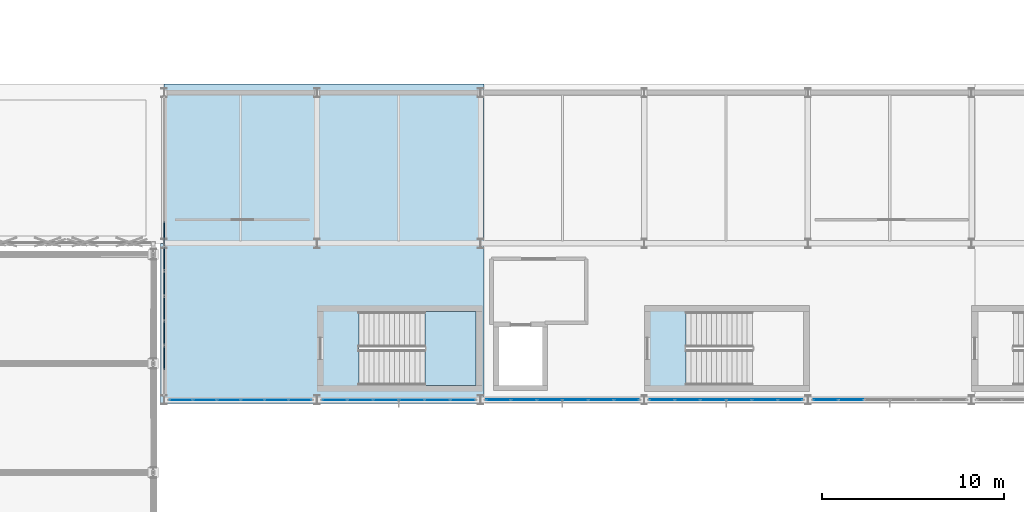
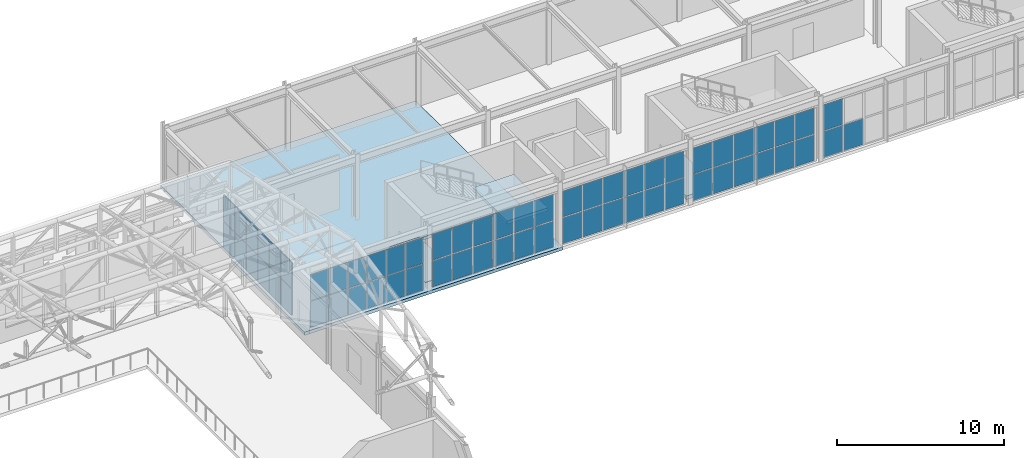
# One storey, part 88 of 112: 63 plates, 4 slabs, 7 elements without a shape of their own.
"""IFC4 building model written with IfcOpenShell, lengths in metres."""

from ifc_helpers import new_model, si_unit, direction, frame, origin, origin_2d, place, context, subcontext, project, spatial, polyline, rectangle, outline, extrude, material, layer, layer_set, type_object, element, aggregate, save


model = new_model("IFC4")

# Units and contexts
model_context = context("Model", 3, precision=1e-05, world=origin(), true_north=direction((0.0, 1.0)))
body_context = subcontext(model_context, "Body", "Model", "MODEL_VIEW")
ifc_project = project(units=[si_unit("LENGTHUNIT", "METRE"), si_unit("AREAUNIT", "SQUARE_METRE"), si_unit("VOLUMEUNIT", "CUBIC_METRE"), si_unit("PLANEANGLEUNIT", "RADIAN"), si_unit("MASSUNIT", "GRAM", prefix="KILO")], contexts=[model_context])

# Site, building, storey
site_placement = place(None, origin())
site = spatial("IfcSite", under=ifc_project, at=site_placement, CompositionType="ELEMENT")
building_placement = place(site_placement, origin())
building = spatial("IfcBuilding", under=site, at=building_placement, Name="Kaldris Quays Convention Centre", CompositionType="ELEMENT")
storey_placement = place(building_placement, frame((0.0, 0.0, 16.800048828125)))
storey = spatial("IfcBuildingStorey", under=building, at=storey_placement, Name="L03", CompositionType="ELEMENT", Elevation=16.800048828125)

# Curtain wall, plates
ifc_material_1 = material(Name="Anodized aluminium AW-6060 and triple glazing", Category="aluminium")
curtain_wall_type = type_object("IfcCurtainWallType", Name="UNITISED CURTAIN WALL CW04", PredefinedType="NOTDEFINED", material=ifc_material_1)
curtain_wall_1_placement = place(storey_placement, origin())
curtain_wall_1 = element("IfcCurtainWall", 1, at=curtain_wall_1_placement, inside=storey, type_object=curtain_wall_type, Name="L03 Unitised Curtain Wall CW04 121", PredefinedType="NOTDEFINED")
ifc_material_2 = material(Name="Triple low-E insulated glazing", Category="glass")
plate_type_1 = type_object("IfcPlateType", Name="CURTAIN GLAZING PANEL CWP1", PredefinedType="CURTAIN_PANEL", material=ifc_material_2)
plate_1_placement = place(storey_placement, frame((84.5234375, 38.0, 0.059814453125), z_axis=(0.0, 0.0, 1.0), x_axis=(1.0, 0.0, 0.0)))
plate_1 = element("IfcPlate", 2, at=plate_1_placement, type_object=plate_type_1, Name="CW04 panel 1.1", PredefinedType="CURTAIN_PANEL", context=body_context, shape_type="SweptSolid", body=[
    extrude(rectangle(XDim=1.2265625, YDim=0.029052734375, at=origin_2d()), origin(), (0.0, 0.0, 1.0), 1.89208984375),
])
plate_2_placement = place(storey_placement, frame((84.5234375, 38.0, 2.011962890625), z_axis=(0.0, 0.0, 1.0), x_axis=(1.0, 0.0, 0.0)))
plate_2 = element("IfcPlate", 3, at=plate_2_placement, type_object=plate_type_1, Name="CW04 panel 1.2", PredefinedType="CURTAIN_PANEL", context=body_context, shape_type="SweptSolid", body=[
    extrude(rectangle(XDim=1.2265625, YDim=0.029052734375, at=origin_2d()), origin(), (0.0, 0.0, 1.0), 1.89306640625),
])
plate_3_placement = place(storey_placement, frame((85.824951171875, 38.0, 0.059814453125), z_axis=(0.0, 0.0, 1.0), x_axis=(1.0, 0.0, 0.0)))
plate_3 = element("IfcPlate", 4, at=plate_3_placement, type_object=plate_type_1, Name="CW04 panel 2.1", PredefinedType="CURTAIN_PANEL", context=body_context, shape_type="SweptSolid", body=[
    extrude(rectangle(XDim=1.256591796875, YDim=0.029052734375, at=origin_2d()), origin(), (0.0, 0.0, 1.0), 1.89208984375),
])
plate_4_placement = place(storey_placement, frame((85.824951171875, 38.0, 2.011962890625), z_axis=(0.0, 0.0, 1.0), x_axis=(1.0, 0.0, 0.0)))
plate_4 = element("IfcPlate", 5, at=plate_4_placement, type_object=plate_type_1, Name="CW04 panel 2.2", PredefinedType="CURTAIN_PANEL", context=body_context, shape_type="SweptSolid", body=[
    extrude(rectangle(XDim=1.256591796875, YDim=0.029052734375, at=origin_2d()), origin(), (0.0, 0.0, 1.0), 1.89306640625),
])
plate_5_placement = place(storey_placement, frame((87.1416015625, 38.0, 0.059814453125), z_axis=(0.0, 0.0, 1.0), x_axis=(1.0, 0.0, 0.0)))
plate_5 = element("IfcPlate", 6, at=plate_5_placement, type_object=plate_type_1, Name="CW04 panel 3.1", PredefinedType="CURTAIN_PANEL", context=body_context, shape_type="SweptSolid", body=[
    extrude(rectangle(XDim=1.256591796875, YDim=0.029052734375, at=origin_2d()), origin(), (0.0, 0.0, 1.0), 1.89208984375),
])
plate_6_placement = place(storey_placement, frame((87.1416015625, 38.0, 2.011962890625), z_axis=(0.0, 0.0, 1.0), x_axis=(1.0, 0.0, 0.0)))
plate_6 = element("IfcPlate", 7, at=plate_6_placement, type_object=plate_type_1, Name="CW04 panel 3.2", PredefinedType="CURTAIN_PANEL", context=body_context, shape_type="SweptSolid", body=[
    extrude(rectangle(XDim=1.256591796875, YDim=0.029052734375, at=origin_2d()), origin(), (0.0, 0.0, 1.0), 1.89306640625),
])
plate_7_placement = place(storey_placement, frame((88.458251953125, 38.0, 0.059814453125), z_axis=(0.0, 0.0, 1.0), x_axis=(1.0, 0.0, 0.0)))
plate_7 = element("IfcPlate", 8, at=plate_7_placement, type_object=plate_type_1, Name="CW04 panel 4.1", PredefinedType="CURTAIN_PANEL", context=body_context, shape_type="SweptSolid", body=[
    extrude(rectangle(XDim=1.256591796875, YDim=0.029052734375, at=origin_2d()), origin(), (0.0, 0.0, 1.0), 1.89208984375),
])
plate_8_placement = place(storey_placement, frame((88.458251953125, 38.0, 2.011962890625), z_axis=(0.0, 0.0, 1.0), x_axis=(1.0, 0.0, 0.0)))
plate_8 = element("IfcPlate", 9, at=plate_8_placement, type_object=plate_type_1, Name="CW04 panel 4.2", PredefinedType="CURTAIN_PANEL", context=body_context, shape_type="SweptSolid", body=[
    extrude(rectangle(XDim=1.256591796875, YDim=0.029052734375, at=origin_2d()), origin(), (0.0, 0.0, 1.0), 1.89306640625),
])
plate_9_placement = place(storey_placement, frame((89.77490234375, 38.0, 0.059814453125), z_axis=(0.0, 0.0, 1.0), x_axis=(1.0, 0.0, 0.0)))
plate_9 = element("IfcPlate", 10, at=plate_9_placement, type_object=plate_type_1, Name="CW04 panel 5.1", PredefinedType="CURTAIN_PANEL", context=body_context, shape_type="SweptSolid", body=[
    extrude(rectangle(XDim=1.256591796875, YDim=0.029052734375, at=origin_2d()), origin(), (0.0, 0.0, 1.0), 1.89208984375),
])
plate_10_placement = place(storey_placement, frame((89.77490234375, 38.0, 2.011962890625), z_axis=(0.0, 0.0, 1.0), x_axis=(1.0, 0.0, 0.0)))
plate_10 = element("IfcPlate", 11, at=plate_10_placement, type_object=plate_type_1, Name="CW04 panel 5.2", PredefinedType="CURTAIN_PANEL", context=body_context, shape_type="SweptSolid", body=[
    extrude(rectangle(XDim=1.256591796875, YDim=0.029052734375, at=origin_2d()), origin(), (0.0, 0.0, 1.0), 1.89306640625),
])
plate_11_placement = place(storey_placement, frame((91.07666015625, 38.0, 0.059814453125), z_axis=(0.0, 0.0, 1.0), x_axis=(1.0, 0.0, 0.0)))
plate_11 = element("IfcPlate", 12, at=plate_11_placement, type_object=plate_type_1, Name="CW04 panel 6.1", PredefinedType="CURTAIN_PANEL", context=body_context, shape_type="SweptSolid", body=[
    extrude(rectangle(XDim=1.2265625, YDim=0.029052734375, at=origin_2d()), origin(), (0.0, 0.0, 1.0), 1.89208984375),
])
plate_12_placement = place(storey_placement, frame((91.07666015625, 38.0, 2.011962890625), z_axis=(0.0, 0.0, 1.0), x_axis=(1.0, 0.0, 0.0)))
plate_12 = element("IfcPlate", 13, at=plate_12_placement, type_object=plate_type_1, Name="CW04 panel 6.2", PredefinedType="CURTAIN_PANEL", context=body_context, shape_type="SweptSolid", body=[
    extrude(rectangle(XDim=1.2265625, YDim=0.029052734375, at=origin_2d()), origin(), (0.0, 0.0, 1.0), 1.89306640625),
])
aggregate(curtain_wall_1, [plate_1, plate_2, plate_3, plate_4, plate_5, plate_6, plate_7, plate_8, plate_9, plate_10, plate_11, plate_12])

curtain_wall_2_placement = place(storey_placement, origin())
curtain_wall_2 = element("IfcCurtainWall", 14, at=curtain_wall_2_placement, inside=storey, type_object=curtain_wall_type, Name="L03 Unitised Curtain Wall CW04 122", PredefinedType="NOTDEFINED")
plate_type_2 = type_object("IfcPlateType", Name="CURTAIN GLAZING PANEL CWP2", PredefinedType="CURTAIN_PANEL", material=ifc_material_2)
plate_13_placement = place(storey_placement, frame((92.973388671875, 38.0, 0.059814453125), z_axis=(0.0, 0.0, 1.0), x_axis=(1.0, 0.0, 0.0)))
plate_13 = element("IfcPlate", 15, at=plate_13_placement, type_object=plate_type_2, Name="CW04 panel 1.1", PredefinedType="CURTAIN_PANEL", context=body_context, shape_type="SweptSolid", body=[
    extrude(rectangle(XDim=1.32666015625, YDim=0.033935546875, at=origin_2d()), origin(), (0.0, 0.0, 1.0), 1.89208984375),
])
plate_14_placement = place(storey_placement, frame((92.973388671875, 38.0, 2.011962890625), z_axis=(0.0, 0.0, 1.0), x_axis=(1.0, 0.0, 0.0)))
plate_14 = element("IfcPlate", 16, at=plate_14_placement, type_object=plate_type_2, Name="CW04 panel 1.2", PredefinedType="CURTAIN_PANEL", context=body_context, shape_type="SweptSolid", body=[
    extrude(rectangle(XDim=1.32666015625, YDim=0.033935546875, at=origin_2d()), origin(), (0.0, 0.0, 1.0), 1.89306640625),
])
plate_15_placement = place(storey_placement, frame((94.375, 38.0, 0.059814453125), z_axis=(0.0, 0.0, 1.0), x_axis=(1.0, 0.0, 0.0)))
plate_15 = element("IfcPlate", 17, at=plate_15_placement, type_object=plate_type_2, Name="CW04 panel 2.1", PredefinedType="CURTAIN_PANEL", context=body_context, shape_type="SweptSolid", body=[
    extrude(rectangle(XDim=1.356689453125, YDim=0.033935546875, at=origin_2d()), origin(), (0.0, 0.0, 1.0), 1.89208984375),
])
plate_16_placement = place(storey_placement, frame((94.375, 38.0, 2.011962890625), z_axis=(0.0, 0.0, 1.0), x_axis=(1.0, 0.0, 0.0)))
plate_16 = element("IfcPlate", 18, at=plate_16_placement, type_object=plate_type_2, Name="CW04 panel 2.2", PredefinedType="CURTAIN_PANEL", context=body_context, shape_type="SweptSolid", body=[
    extrude(rectangle(XDim=1.356689453125, YDim=0.033935546875, at=origin_2d()), origin(), (0.0, 0.0, 1.0), 1.89306640625),
])
plate_17_placement = place(storey_placement, frame((95.791748046875, 38.0, 0.059814453125), z_axis=(0.0, 0.0, 1.0), x_axis=(1.0, 0.0, 0.0)))
plate_17 = element("IfcPlate", 19, at=plate_17_placement, type_object=plate_type_2, Name="CW04 panel 3.1", PredefinedType="CURTAIN_PANEL", context=body_context, shape_type="SweptSolid", body=[
    extrude(rectangle(XDim=1.356689453125, YDim=0.033935546875, at=origin_2d()), origin(), (0.0, 0.0, 1.0), 1.89208984375),
])
plate_18_placement = place(storey_placement, frame((95.791748046875, 38.0, 2.011962890625), z_axis=(0.0, 0.0, 1.0), x_axis=(1.0, 0.0, 0.0)))
plate_18 = element("IfcPlate", 20, at=plate_18_placement, type_object=plate_type_2, Name="CW04 panel 3.2", PredefinedType="CURTAIN_PANEL", context=body_context, shape_type="SweptSolid", body=[
    extrude(rectangle(XDim=1.356689453125, YDim=0.033935546875, at=origin_2d()), origin(), (0.0, 0.0, 1.0), 1.89306640625),
])
plate_19_placement = place(storey_placement, frame((97.208251953125, 38.0, 0.059814453125), z_axis=(0.0, 0.0, 1.0), x_axis=(1.0, 0.0, 0.0)))
plate_19 = element("IfcPlate", 21, at=plate_19_placement, type_object=plate_type_2, Name="CW04 panel 4.1", PredefinedType="CURTAIN_PANEL", context=body_context, shape_type="SweptSolid", body=[
    extrude(rectangle(XDim=1.356689453125, YDim=0.033935546875, at=origin_2d()), origin(), (0.0, 0.0, 1.0), 1.89208984375),
])
plate_20_placement = place(storey_placement, frame((97.208251953125, 38.0, 2.011962890625), z_axis=(0.0, 0.0, 1.0), x_axis=(1.0, 0.0, 0.0)))
plate_20 = element("IfcPlate", 22, at=plate_20_placement, type_object=plate_type_2, Name="CW04 panel 4.2", PredefinedType="CURTAIN_PANEL", context=body_context, shape_type="SweptSolid", body=[
    extrude(rectangle(XDim=1.356689453125, YDim=0.033935546875, at=origin_2d()), origin(), (0.0, 0.0, 1.0), 1.89306640625),
])
plate_21_placement = place(storey_placement, frame((98.625, 38.0, 0.059814453125), z_axis=(0.0, 0.0, 1.0), x_axis=(1.0, 0.0, 0.0)))
plate_21 = element("IfcPlate", 23, at=plate_21_placement, type_object=plate_type_2, Name="CW04 panel 5.1", PredefinedType="CURTAIN_PANEL", context=body_context, shape_type="SweptSolid", body=[
    extrude(rectangle(XDim=1.356689453125, YDim=0.033935546875, at=origin_2d()), origin(), (0.0, 0.0, 1.0), 1.89208984375),
])
plate_22_placement = place(storey_placement, frame((98.625, 38.0, 2.011962890625), z_axis=(0.0, 0.0, 1.0), x_axis=(1.0, 0.0, 0.0)))
plate_22 = element("IfcPlate", 24, at=plate_22_placement, type_object=plate_type_2, Name="CW04 panel 5.2", PredefinedType="CURTAIN_PANEL", context=body_context, shape_type="SweptSolid", body=[
    extrude(rectangle(XDim=1.356689453125, YDim=0.033935546875, at=origin_2d()), origin(), (0.0, 0.0, 1.0), 1.89306640625),
])
plate_23_placement = place(storey_placement, frame((100.026611328125, 38.0, 0.059814453125), z_axis=(0.0, 0.0, 1.0), x_axis=(1.0, 0.0, 0.0)))
plate_23 = element("IfcPlate", 25, at=plate_23_placement, type_object=plate_type_2, Name="CW04 panel 6.1", PredefinedType="CURTAIN_PANEL", context=body_context, shape_type="SweptSolid", body=[
    extrude(rectangle(XDim=1.32666015625, YDim=0.033935546875, at=origin_2d()), origin(), (0.0, 0.0, 1.0), 1.89208984375),
])
plate_24_placement = place(storey_placement, frame((100.026611328125, 38.0, 2.011962890625), z_axis=(0.0, 0.0, 1.0), x_axis=(1.0, 0.0, 0.0)))
plate_24 = element("IfcPlate", 26, at=plate_24_placement, type_object=plate_type_2, Name="CW04 panel 6.2", PredefinedType="CURTAIN_PANEL", context=body_context, shape_type="SweptSolid", body=[
    extrude(rectangle(XDim=1.32666015625, YDim=0.033935546875, at=origin_2d()), origin(), (0.0, 0.0, 1.0), 1.89306640625),
])
aggregate(curtain_wall_2, [plate_13, plate_14, plate_15, plate_16, plate_17, plate_18, plate_19, plate_20, plate_21, plate_22, plate_23, plate_24])

curtain_wall_3_placement = place(storey_placement, origin())
curtain_wall_3 = element("IfcCurtainWall", 27, at=curtain_wall_3_placement, inside=storey, type_object=curtain_wall_type, Name="L03 Unitised Curtain Wall CW04 123", PredefinedType="NOTDEFINED")
plate_type_3 = type_object("IfcPlateType", Name="CURTAIN GLAZING PANEL CWP3", PredefinedType="CURTAIN_PANEL", material=ifc_material_2)
plate_25_placement = place(storey_placement, frame((101.973388671875, 38.0, 0.059814453125), z_axis=(0.0, 0.0, 1.0), x_axis=(1.0, 0.0, 0.0)))
plate_25 = element("IfcPlate", 28, at=plate_25_placement, type_object=plate_type_3, Name="CW04 panel 1.1", PredefinedType="CURTAIN_PANEL", context=body_context, shape_type="SweptSolid", body=[
    extrude(rectangle(XDim=1.32666015625, YDim=0.0390625, at=origin_2d()), origin(), (0.0, 0.0, 1.0), 1.89208984375),
])
plate_26_placement = place(storey_placement, frame((101.973388671875, 38.0, 2.011962890625), z_axis=(0.0, 0.0, 1.0), x_axis=(1.0, 0.0, 0.0)))
plate_26 = element("IfcPlate", 29, at=plate_26_placement, type_object=plate_type_3, Name="CW04 panel 1.2", PredefinedType="CURTAIN_PANEL", context=body_context, shape_type="SweptSolid", body=[
    extrude(rectangle(XDim=1.32666015625, YDim=0.0390625, at=origin_2d()), origin(), (0.0, 0.0, 1.0), 1.89306640625),
])
plate_27_placement = place(storey_placement, frame((103.375, 38.0, 0.059814453125), z_axis=(0.0, 0.0, 1.0), x_axis=(1.0, 0.0, 0.0)))
plate_27 = element("IfcPlate", 30, at=plate_27_placement, type_object=plate_type_3, Name="CW04 panel 2.1", PredefinedType="CURTAIN_PANEL", context=body_context, shape_type="SweptSolid", body=[
    extrude(rectangle(XDim=1.356689453125, YDim=0.0390625, at=origin_2d()), origin(), (0.0, 0.0, 1.0), 1.89208984375),
])
plate_28_placement = place(storey_placement, frame((103.375, 38.0, 2.011962890625), z_axis=(0.0, 0.0, 1.0), x_axis=(1.0, 0.0, 0.0)))
plate_28 = element("IfcPlate", 31, at=plate_28_placement, type_object=plate_type_3, Name="CW04 panel 2.2", PredefinedType="CURTAIN_PANEL", context=body_context, shape_type="SweptSolid", body=[
    extrude(rectangle(XDim=1.356689453125, YDim=0.0390625, at=origin_2d()), origin(), (0.0, 0.0, 1.0), 1.89306640625),
])
plate_29_placement = place(storey_placement, frame((104.791748046875, 38.0, 0.059814453125), z_axis=(0.0, 0.0, 1.0), x_axis=(1.0, 0.0, 0.0)))
plate_29 = element("IfcPlate", 32, at=plate_29_placement, type_object=plate_type_3, Name="CW04 panel 3.1", PredefinedType="CURTAIN_PANEL", context=body_context, shape_type="SweptSolid", body=[
    extrude(rectangle(XDim=1.356689453125, YDim=0.0390625, at=origin_2d()), origin(), (0.0, 0.0, 1.0), 1.89208984375),
])
plate_30_placement = place(storey_placement, frame((104.791748046875, 38.0, 2.011962890625), z_axis=(0.0, 0.0, 1.0), x_axis=(1.0, 0.0, 0.0)))
plate_30 = element("IfcPlate", 33, at=plate_30_placement, type_object=plate_type_3, Name="CW04 panel 3.2", PredefinedType="CURTAIN_PANEL", context=body_context, shape_type="SweptSolid", body=[
    extrude(rectangle(XDim=1.356689453125, YDim=0.0390625, at=origin_2d()), origin(), (0.0, 0.0, 1.0), 1.89306640625),
])
plate_31_placement = place(storey_placement, frame((106.208251953125, 38.0, 0.059814453125), z_axis=(0.0, 0.0, 1.0), x_axis=(1.0, 0.0, 0.0)))
plate_31 = element("IfcPlate", 34, at=plate_31_placement, type_object=plate_type_3, Name="CW04 panel 4.1", PredefinedType="CURTAIN_PANEL", context=body_context, shape_type="SweptSolid", body=[
    extrude(rectangle(XDim=1.356689453125, YDim=0.0390625, at=origin_2d()), origin(), (0.0, 0.0, 1.0), 1.89208984375),
])
plate_32_placement = place(storey_placement, frame((106.208251953125, 38.0, 2.011962890625), z_axis=(0.0, 0.0, 1.0), x_axis=(1.0, 0.0, 0.0)))
plate_32 = element("IfcPlate", 35, at=plate_32_placement, type_object=plate_type_3, Name="CW04 panel 4.2", PredefinedType="CURTAIN_PANEL", context=body_context, shape_type="SweptSolid", body=[
    extrude(rectangle(XDim=1.356689453125, YDim=0.0390625, at=origin_2d()), origin(), (0.0, 0.0, 1.0), 1.89306640625),
])
plate_33_placement = place(storey_placement, frame((107.625, 38.0, 0.059814453125), z_axis=(0.0, 0.0, 1.0), x_axis=(1.0, 0.0, 0.0)))
plate_33 = element("IfcPlate", 36, at=plate_33_placement, type_object=plate_type_3, Name="CW04 panel 5.1", PredefinedType="CURTAIN_PANEL", context=body_context, shape_type="SweptSolid", body=[
    extrude(rectangle(XDim=1.356689453125, YDim=0.0390625, at=origin_2d()), origin(), (0.0, 0.0, 1.0), 1.89208984375),
])
plate_34_placement = place(storey_placement, frame((107.625, 38.0, 2.011962890625), z_axis=(0.0, 0.0, 1.0), x_axis=(1.0, 0.0, 0.0)))
plate_34 = element("IfcPlate", 37, at=plate_34_placement, type_object=plate_type_3, Name="CW04 panel 5.2", PredefinedType="CURTAIN_PANEL", context=body_context, shape_type="SweptSolid", body=[
    extrude(rectangle(XDim=1.356689453125, YDim=0.0390625, at=origin_2d()), origin(), (0.0, 0.0, 1.0), 1.89306640625),
])
plate_35_placement = place(storey_placement, frame((109.026611328125, 38.0, 0.059814453125), z_axis=(0.0, 0.0, 1.0), x_axis=(1.0, 0.0, 0.0)))
plate_35 = element("IfcPlate", 38, at=plate_35_placement, type_object=plate_type_3, Name="CW04 panel 6.1", PredefinedType="CURTAIN_PANEL", context=body_context, shape_type="SweptSolid", body=[
    extrude(rectangle(XDim=1.32666015625, YDim=0.0390625, at=origin_2d()), origin(), (0.0, 0.0, 1.0), 1.89208984375),
])
plate_36_placement = place(storey_placement, frame((109.026611328125, 38.0, 2.011962890625), z_axis=(0.0, 0.0, 1.0), x_axis=(1.0, 0.0, 0.0)))
plate_36 = element("IfcPlate", 39, at=plate_36_placement, type_object=plate_type_3, Name="CW04 panel 6.2", PredefinedType="CURTAIN_PANEL", context=body_context, shape_type="SweptSolid", body=[
    extrude(rectangle(XDim=1.32666015625, YDim=0.0390625, at=origin_2d()), origin(), (0.0, 0.0, 1.0), 1.89306640625),
])
aggregate(curtain_wall_3, [plate_25, plate_26, plate_27, plate_28, plate_29, plate_30, plate_31, plate_32, plate_33, plate_34, plate_35, plate_36])

curtain_wall_4_placement = place(storey_placement, origin())
curtain_wall_4 = element("IfcCurtainWall", 40, at=curtain_wall_4_placement, inside=storey, type_object=curtain_wall_type, Name="L03 Unitised Curtain Wall CW04 124", PredefinedType="NOTDEFINED")
plate_type_4 = type_object("IfcPlateType", Name="CURTAIN GLAZING PANEL CWP4", PredefinedType="CURTAIN_PANEL", material=ifc_material_2)
plate_37_placement = place(storey_placement, frame((110.973388671875, 38.0, 0.059814453125), z_axis=(0.0, 0.0, 1.0), x_axis=(1.0, 0.0, 0.0)))
plate_37 = element("IfcPlate", 41, at=plate_37_placement, type_object=plate_type_4, Name="CW04 panel 1.1", PredefinedType="CURTAIN_PANEL", context=body_context, shape_type="SweptSolid", body=[
    extrude(rectangle(XDim=1.32666015625, YDim=0.0439453125, at=origin_2d()), origin(), (0.0, 0.0, 1.0), 1.89208984375),
])
plate_38_placement = place(storey_placement, frame((110.973388671875, 38.0, 2.011962890625), z_axis=(0.0, 0.0, 1.0), x_axis=(1.0, 0.0, 0.0)))
plate_38 = element("IfcPlate", 42, at=plate_38_placement, type_object=plate_type_4, Name="CW04 panel 1.2", PredefinedType="CURTAIN_PANEL", context=body_context, shape_type="SweptSolid", body=[
    extrude(rectangle(XDim=1.32666015625, YDim=0.0439453125, at=origin_2d()), origin(), (0.0, 0.0, 1.0), 1.89306640625),
])
plate_39_placement = place(storey_placement, frame((112.375, 38.0, 0.059814453125), z_axis=(0.0, 0.0, 1.0), x_axis=(1.0, 0.0, 0.0)))
plate_39 = element("IfcPlate", 43, at=plate_39_placement, type_object=plate_type_4, Name="CW04 panel 2.1", PredefinedType="CURTAIN_PANEL", context=body_context, shape_type="SweptSolid", body=[
    extrude(rectangle(XDim=1.356689453125, YDim=0.0439453125, at=origin_2d()), origin(), (0.0, 0.0, 1.0), 1.89208984375),
])
plate_40_placement = place(storey_placement, frame((112.375, 38.0, 2.011962890625), z_axis=(0.0, 0.0, 1.0), x_axis=(1.0, 0.0, 0.0)))
plate_40 = element("IfcPlate", 44, at=plate_40_placement, type_object=plate_type_4, Name="CW04 panel 2.2", PredefinedType="CURTAIN_PANEL", context=body_context, shape_type="SweptSolid", body=[
    extrude(rectangle(XDim=1.356689453125, YDim=0.0439453125, at=origin_2d()), origin(), (0.0, 0.0, 1.0), 1.89306640625),
])
plate_41_placement = place(storey_placement, frame((113.791748046875, 38.0, 0.059814453125), z_axis=(0.0, 0.0, 1.0), x_axis=(1.0, 0.0, 0.0)))
plate_41 = element("IfcPlate", 45, at=plate_41_placement, type_object=plate_type_4, Name="CW04 panel 3.1", PredefinedType="CURTAIN_PANEL", context=body_context, shape_type="SweptSolid", body=[
    extrude(rectangle(XDim=1.356689453125, YDim=0.0439453125, at=origin_2d()), origin(), (0.0, 0.0, 1.0), 1.89208984375),
])
plate_42_placement = place(storey_placement, frame((113.791748046875, 38.0, 2.011962890625), z_axis=(0.0, 0.0, 1.0), x_axis=(1.0, 0.0, 0.0)))
plate_42 = element("IfcPlate", 46, at=plate_42_placement, type_object=plate_type_4, Name="CW04 panel 3.2", PredefinedType="CURTAIN_PANEL", context=body_context, shape_type="SweptSolid", body=[
    extrude(rectangle(XDim=1.356689453125, YDim=0.0439453125, at=origin_2d()), origin(), (0.0, 0.0, 1.0), 1.89306640625),
])
plate_43_placement = place(storey_placement, frame((115.208251953125, 38.0, 0.059814453125), z_axis=(0.0, 0.0, 1.0), x_axis=(1.0, 0.0, 0.0)))
plate_43 = element("IfcPlate", 47, at=plate_43_placement, type_object=plate_type_4, Name="CW04 panel 4.1", PredefinedType="CURTAIN_PANEL", context=body_context, shape_type="SweptSolid", body=[
    extrude(rectangle(XDim=1.356689453125, YDim=0.0439453125, at=origin_2d()), origin(), (0.0, 0.0, 1.0), 1.89208984375),
])
plate_44_placement = place(storey_placement, frame((115.208251953125, 38.0, 2.011962890625), z_axis=(0.0, 0.0, 1.0), x_axis=(1.0, 0.0, 0.0)))
plate_44 = element("IfcPlate", 48, at=plate_44_placement, type_object=plate_type_4, Name="CW04 panel 4.2", PredefinedType="CURTAIN_PANEL", context=body_context, shape_type="SweptSolid", body=[
    extrude(rectangle(XDim=1.356689453125, YDim=0.0439453125, at=origin_2d()), origin(), (0.0, 0.0, 1.0), 1.89306640625),
])
plate_45_placement = place(storey_placement, frame((116.625, 38.0, 0.059814453125), z_axis=(0.0, 0.0, 1.0), x_axis=(1.0, 0.0, 0.0)))
plate_45 = element("IfcPlate", 49, at=plate_45_placement, type_object=plate_type_4, Name="CW04 panel 5.1", PredefinedType="CURTAIN_PANEL", context=body_context, shape_type="SweptSolid", body=[
    extrude(rectangle(XDim=1.356689453125, YDim=0.0439453125, at=origin_2d()), origin(), (0.0, 0.0, 1.0), 1.89208984375),
])
plate_46_placement = place(storey_placement, frame((116.625, 38.0, 2.011962890625), z_axis=(0.0, 0.0, 1.0), x_axis=(1.0, 0.0, 0.0)))
plate_46 = element("IfcPlate", 50, at=plate_46_placement, type_object=plate_type_4, Name="CW04 panel 5.2", PredefinedType="CURTAIN_PANEL", context=body_context, shape_type="SweptSolid", body=[
    extrude(rectangle(XDim=1.356689453125, YDim=0.0439453125, at=origin_2d()), origin(), (0.0, 0.0, 1.0), 1.89306640625),
])
plate_47_placement = place(storey_placement, frame((118.026611328125, 38.0, 0.059814453125), z_axis=(0.0, 0.0, 1.0), x_axis=(1.0, 0.0, 0.0)))
plate_47 = element("IfcPlate", 51, at=plate_47_placement, type_object=plate_type_4, Name="CW04 panel 6.1", PredefinedType="CURTAIN_PANEL", context=body_context, shape_type="SweptSolid", body=[
    extrude(rectangle(XDim=1.32666015625, YDim=0.0439453125, at=origin_2d()), origin(), (0.0, 0.0, 1.0), 1.89208984375),
])
plate_48_placement = place(storey_placement, frame((118.026611328125, 38.0, 2.011962890625), z_axis=(0.0, 0.0, 1.0), x_axis=(1.0, 0.0, 0.0)))
plate_48 = element("IfcPlate", 52, at=plate_48_placement, type_object=plate_type_4, Name="CW04 panel 6.2", PredefinedType="CURTAIN_PANEL", context=body_context, shape_type="SweptSolid", body=[
    extrude(rectangle(XDim=1.32666015625, YDim=0.0439453125, at=origin_2d()), origin(), (0.0, 0.0, 1.0), 1.89306640625),
])
aggregate(curtain_wall_4, [plate_37, plate_38, plate_39, plate_40, plate_41, plate_42, plate_43, plate_44, plate_45, plate_46, plate_47, plate_48])

curtain_wall_5_placement = place(storey_placement, origin())
curtain_wall_5 = element("IfcCurtainWall", 53, at=curtain_wall_5_placement, inside=storey, type_object=curtain_wall_type, Name="L03 Unitised Curtain Wall CW04 125", PredefinedType="NOTDEFINED")
plate_type_5 = type_object("IfcPlateType", Name="CURTAIN GLAZING PANEL CWP5", PredefinedType="CURTAIN_PANEL", material=ifc_material_2)
plate_49_placement = place(storey_placement, frame((119.973388671875, 38.0, 0.059814453125), z_axis=(0.0, 0.0, 1.0), x_axis=(1.0, 0.0, 0.0)))
plate_49 = element("IfcPlate", 54, at=plate_49_placement, type_object=plate_type_5, Name="CW04 panel 1.1", PredefinedType="CURTAIN_PANEL", context=body_context, shape_type="SweptSolid", body=[
    extrude(rectangle(XDim=1.32666015625, YDim=0.049072265625, at=origin_2d()), origin(), (0.0, 0.0, 1.0), 1.89208984375),
])
plate_50_placement = place(storey_placement, frame((119.973388671875, 38.0, 2.011962890625), z_axis=(0.0, 0.0, 1.0), x_axis=(1.0, 0.0, 0.0)))
plate_50 = element("IfcPlate", 55, at=plate_50_placement, type_object=plate_type_5, Name="CW04 panel 1.2", PredefinedType="CURTAIN_PANEL", context=body_context, shape_type="SweptSolid", body=[
    extrude(rectangle(XDim=1.32666015625, YDim=0.049072265625, at=origin_2d()), origin(), (0.0, 0.0, 1.0), 1.89306640625),
])
plate_51_placement = place(storey_placement, frame((121.375, 38.0, 0.059814453125), z_axis=(0.0, 0.0, 1.0), x_axis=(1.0, 0.0, 0.0)))
plate_51 = element("IfcPlate", 56, at=plate_51_placement, type_object=plate_type_5, Name="CW04 panel 2.1", PredefinedType="CURTAIN_PANEL", context=body_context, shape_type="SweptSolid", body=[
    extrude(rectangle(XDim=1.356689453125, YDim=0.049072265625, at=origin_2d()), origin(), (0.0, 0.0, 1.0), 1.89208984375),
])
aggregate(curtain_wall_5, [plate_49, plate_50, plate_51])

curtain_wall_6_placement = place(storey_placement, origin())
curtain_wall_6 = element("IfcCurtainWall", 57, at=curtain_wall_6_placement, inside=storey, type_object=curtain_wall_type, Name="L03 Unitised Curtain Wall CW04 128", PredefinedType="NOTDEFINED")
plate_type_6 = type_object("IfcPlateType", Name="CURTAIN GLAZING PANEL CWP8", PredefinedType="CURTAIN_PANEL", material=ifc_material_2)
plate_52_placement = place(storey_placement, frame((83.60009765625, 40.300048828125, 0.059814453125), z_axis=(0.0, 0.0, 1.0), x_axis=(0.0, 1.0, 0.0)))
plate_52 = element("IfcPlate", 58, at=plate_52_placement, type_object=plate_type_6, Name="CW04 panel 2.1", PredefinedType="CURTAIN_PANEL", context=body_context, shape_type="SweptSolid", body=[
    extrude(rectangle(XDim=1.306640625, YDim=0.06396484375, at=origin_2d()), origin(), (0.0, 0.0, 1.0), 1.89208984375),
])
plate_53_placement = place(storey_placement, frame((83.60009765625, 40.300048828125, 2.011962890625), z_axis=(0.0, 0.0, 1.0), x_axis=(0.0, 1.0, 0.0)))
plate_53 = element("IfcPlate", 59, at=plate_53_placement, type_object=plate_type_6, Name="CW04 panel 2.2", PredefinedType="CURTAIN_PANEL", context=body_context, shape_type="SweptSolid", body=[
    extrude(rectangle(XDim=1.306640625, YDim=0.06396484375, at=origin_2d()), origin(), (0.0, 0.0, 1.0), 1.89306640625),
])
plate_54_placement = place(storey_placement, frame((83.60009765625, 41.666748046875, 0.059814453125), z_axis=(0.0, 0.0, 1.0), x_axis=(0.0, 1.0, 0.0)))
plate_54 = element("IfcPlate", 60, at=plate_54_placement, type_object=plate_type_6, Name="CW04 panel 3.1", PredefinedType="CURTAIN_PANEL", context=body_context, shape_type="SweptSolid", body=[
    extrude(rectangle(XDim=1.306640625, YDim=0.06396484375, at=origin_2d()), origin(), (0.0, 0.0, 1.0), 1.89208984375),
])
plate_55_placement = place(storey_placement, frame((83.60009765625, 41.666748046875, 2.011962890625), z_axis=(0.0, 0.0, 1.0), x_axis=(0.0, 1.0, 0.0)))
plate_55 = element("IfcPlate", 61, at=plate_55_placement, type_object=plate_type_6, Name="CW04 panel 3.2", PredefinedType="CURTAIN_PANEL", context=body_context, shape_type="SweptSolid", body=[
    extrude(rectangle(XDim=1.306640625, YDim=0.06396484375, at=origin_2d()), origin(), (0.0, 0.0, 1.0), 1.89306640625),
])
plate_56_placement = place(storey_placement, frame((83.60009765625, 43.033447265625, 0.059814453125), z_axis=(0.0, 0.0, 1.0), x_axis=(0.0, 1.0, 0.0)))
plate_56 = element("IfcPlate", 62, at=plate_56_placement, type_object=plate_type_6, Name="CW04 panel 4.1", PredefinedType="CURTAIN_PANEL", context=body_context, shape_type="SweptSolid", body=[
    extrude(rectangle(XDim=1.306640625, YDim=0.06396484375, at=origin_2d()), origin(), (0.0, 0.0, 1.0), 1.89208984375),
])
plate_57_placement = place(storey_placement, frame((83.60009765625, 43.033447265625, 2.011962890625), z_axis=(0.0, 0.0, 1.0), x_axis=(0.0, 1.0, 0.0)))
plate_57 = element("IfcPlate", 63, at=plate_57_placement, type_object=plate_type_6, Name="CW04 panel 4.2", PredefinedType="CURTAIN_PANEL", context=body_context, shape_type="SweptSolid", body=[
    extrude(rectangle(XDim=1.306640625, YDim=0.06396484375, at=origin_2d()), origin(), (0.0, 0.0, 1.0), 1.89306640625),
])
plate_58_placement = place(storey_placement, frame((83.60009765625, 44.39990234375, 0.059814453125), z_axis=(0.0, 0.0, 1.0), x_axis=(0.0, 1.0, 0.0)))
plate_58 = element("IfcPlate", 64, at=plate_58_placement, type_object=plate_type_6, Name="CW04 panel 5.1", PredefinedType="CURTAIN_PANEL", context=body_context, shape_type="SweptSolid", body=[
    extrude(rectangle(XDim=1.306640625, YDim=0.06396484375, at=origin_2d()), origin(), (0.0, 0.0, 1.0), 1.89208984375),
])
plate_59_placement = place(storey_placement, frame((83.60009765625, 44.39990234375, 2.011962890625), z_axis=(0.0, 0.0, 1.0), x_axis=(0.0, 1.0, 0.0)))
plate_59 = element("IfcPlate", 65, at=plate_59_placement, type_object=plate_type_6, Name="CW04 panel 5.2", PredefinedType="CURTAIN_PANEL", context=body_context, shape_type="SweptSolid", body=[
    extrude(rectangle(XDim=1.306640625, YDim=0.06396484375, at=origin_2d()), origin(), (0.0, 0.0, 1.0), 1.89306640625),
])
plate_60_placement = place(storey_placement, frame((83.60009765625, 45.7666015625, 0.059814453125), z_axis=(0.0, 0.0, 1.0), x_axis=(0.0, 1.0, 0.0)))
plate_60 = element("IfcPlate", 66, at=plate_60_placement, type_object=plate_type_6, Name="CW04 panel 6.1", PredefinedType="CURTAIN_PANEL", context=body_context, shape_type="SweptSolid", body=[
    extrude(rectangle(XDim=1.306640625, YDim=0.06396484375, at=origin_2d()), origin(), (0.0, 0.0, 1.0), 1.89208984375),
])
plate_61_placement = place(storey_placement, frame((83.60009765625, 45.7666015625, 2.011962890625), z_axis=(0.0, 0.0, 1.0), x_axis=(0.0, 1.0, 0.0)))
plate_61 = element("IfcPlate", 67, at=plate_61_placement, type_object=plate_type_6, Name="CW04 panel 6.2", PredefinedType="CURTAIN_PANEL", context=body_context, shape_type="SweptSolid", body=[
    extrude(rectangle(XDim=1.306640625, YDim=0.06396484375, at=origin_2d()), origin(), (0.0, 0.0, 1.0), 1.89306640625),
])
plate_62_placement = place(storey_placement, frame((83.60009765625, 47.13330078125, 0.059814453125), z_axis=(0.0, 0.0, 1.0), x_axis=(0.0, 1.0, 0.0)))
plate_62 = element("IfcPlate", 68, at=plate_62_placement, type_object=plate_type_6, Name="CW04 panel 7.1", PredefinedType="CURTAIN_PANEL", context=body_context, shape_type="SweptSolid", body=[
    extrude(rectangle(XDim=1.306640625, YDim=0.06396484375, at=origin_2d()), origin(), (0.0, 0.0, 1.0), 1.89208984375),
])
plate_63_placement = place(storey_placement, frame((83.60009765625, 47.13330078125, 2.011962890625), z_axis=(0.0, 0.0, 1.0), x_axis=(0.0, 1.0, 0.0)))
plate_63 = element("IfcPlate", 69, at=plate_63_placement, type_object=plate_type_6, Name="CW04 panel 7.2", PredefinedType="CURTAIN_PANEL", context=body_context, shape_type="SweptSolid", body=[
    extrude(rectangle(XDim=1.306640625, YDim=0.06396484375, at=origin_2d()), origin(), (0.0, 0.0, 1.0), 1.89306640625),
])
aggregate(curtain_wall_6, [plate_52, plate_53, plate_54, plate_55, plate_56, plate_57, plate_58, plate_59, plate_60, plate_61, plate_62, plate_63])

# Stair, slab
ifc_material_3 = material(Name="Concrete C35/45", Category="concrete")
stair_type = type_object("IfcStairType", Name="DOGLEG ESCAPE STAIR STF3", PredefinedType="TWO_STRAIGHT_RUN_STAIR", material=ifc_material_3)
stair_placement = place(storey_placement, origin())
stair = element("IfcStair", 70, at=stair_placement, inside=storey, type_object=stair_type, Name="L03 Escape Stair ST11", PredefinedType="TWO_STRAIGHT_RUN_STAIR")
ifc_layer_1 = layer(ifc_material_3, 0.22802734375)
ifc_layer_set_1 = layer_set([ifc_layer_1], Name="Concrete C35/45")
slab_type_1 = type_object("IfcSlabType", Name="STAIR LANDING SLAB LS02", PredefinedType="LANDING", material=ifc_layer_set_1)
slab_1_placement = place(storey_placement, frame((0.0, 0.0, 2.171875)))
slab_1 = element("IfcSlab", 71, at=slab_1_placement, type_object=slab_type_1, Name="STF3 landing 1", PredefinedType="LANDING", context=body_context, shape_type="SweptSolid", body=[
    extrude(outline(polyline([(97.93994140625, 38.800048828125), (100.75, 38.800048828125), (100.75, 42.85009765625), (97.93994140625, 42.85009765625), (97.93994140625, 38.800048828125)])), origin(), (0.0, 0.0, 1.0), 0.22802734375),
])
aggregate(stair, [slab_1])

# Slabs
ifc_layer_2 = layer(ifc_material_3, 0.27490234375)
ifc_layer_set_2 = layer_set([ifc_layer_2], Name="Concrete C35/45")
slab_type_2 = type_object("IfcSlabType", Name="STRUCTURAL SLAB FS05", PredefinedType="FLOOR", material=ifc_layer_set_2)
slab_2_placement = place(storey_placement, frame((0.0, 0.0, -0.275146484375)))
element("IfcSlab", 72, at=slab_2_placement, inside=storey, type_object=slab_type_2, Name="L03 ST11 Core Floor Landing Slab", PredefinedType="FLOOR", context=body_context, shape_type="SweptSolid", body=[
    extrude(outline(polyline([(92.22998046875, 38.679931640625), (94.300048828125, 38.679931640625), (94.300048828125, 42.969970703125), (92.22998046875, 42.969970703125), (92.22998046875, 38.679931640625)])), origin(), (0.0, 0.0, 1.0), 0.275146484375),
])
slab_3_placement = place(storey_placement, frame((0.0, 0.0, -0.275146484375)))
element("IfcSlab", 73, at=slab_3_placement, inside=storey, type_object=slab_type_2, Name="L03 ST13 Core Floor Landing Slab", PredefinedType="FLOOR", context=body_context, shape_type="SweptSolid", body=[
    extrude(outline(polyline([(110.22998046875, 38.679931640625), (112.300048828125, 38.679931640625), (112.300048828125, 42.969970703125), (110.22998046875, 42.969970703125), (110.22998046875, 38.679931640625)])), origin(), (0.0, 0.0, 1.0), 0.275146484375),
])
ifc_layer_3 = layer(ifc_material_3, 0.235107421875)
ifc_layer_set_3 = layer_set([ifc_layer_3], Name="Concrete C35/45")
slab_type_3 = type_object("IfcSlabType", Name="STRUCTURAL SLAB FS07", PredefinedType="FLOOR", material=ifc_layer_set_3)
slab_4_placement = place(storey_placement, frame((0.0, 0.0, -0.235107421875)))
element("IfcSlab", 74, at=slab_4_placement, inside=storey, type_object=slab_type_3, Name="L03 V4 L03 South 1 SLAB-L03-V4S-1", PredefinedType="FLOOR", context=body_context, shape_type="SweptSolid", body=[
    extrude(outline(polyline([(101.199951171875, 55.375), (101.199951171875, 37.800048828125), (83.39990234375, 37.800048828125), (83.39990234375, 46.597900390625), (83.60205078125, 46.60009765625), (83.60205078125, 55.375), (101.199951171875, 55.375)]), holes=[polyline([(94.300537109375, 42.971923828125), (92.228271484375, 42.970947265625), (92.22900390625, 38.67822265625), (94.30029296875, 38.677978515625), (94.302001953125, 38.800048828125), (100.75, 38.800048828125), (100.75, 42.85009765625), (94.302001953125, 42.85009765625), (94.300537109375, 42.971923828125)])]), origin(), (0.0, 0.0, 1.0), 0.235107421875),
])

save(model, "model.ifc")
